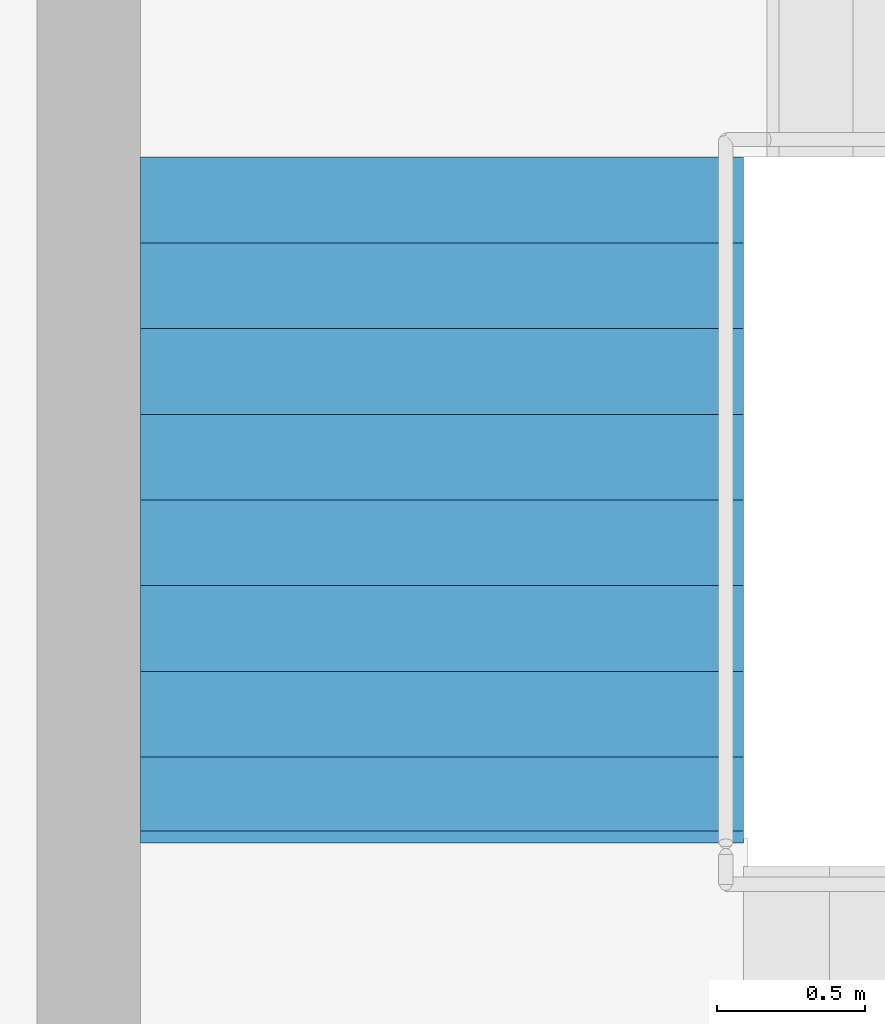
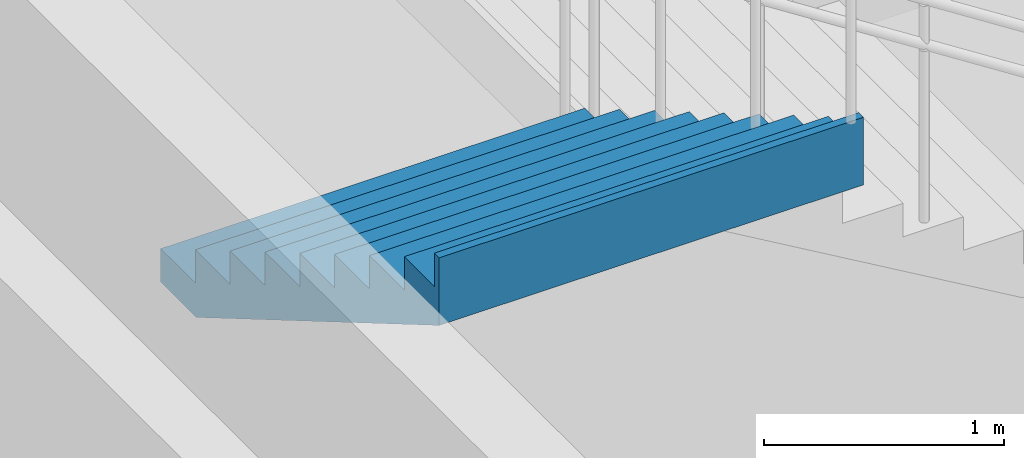
# One storey, part 50 of 58: 1 stair flight, 1 element without a shape of its own.
"""IFC4 building model written with IfcOpenShell, lengths in metres."""

from ifc_helpers import new_model, si_unit, direction, frame, origin, place, context, subcontext, project, spatial, triangles, material, type_object, element, aggregate, save


model = new_model("IFC4")

# Units and contexts
model_context = context("Model", 3, precision=1e-05, world=origin(), true_north=direction((0.0, 1.0)))
body_context = subcontext(model_context, "Body", "Model", "MODEL_VIEW")
ifc_project = project(units=[si_unit("LENGTHUNIT", "METRE"), si_unit("AREAUNIT", "SQUARE_METRE"), si_unit("VOLUMEUNIT", "CUBIC_METRE"), si_unit("PLANEANGLEUNIT", "RADIAN"), si_unit("MASSUNIT", "GRAM", prefix="KILO")], contexts=[model_context])

# Site, building, storey
site_placement = place(None, origin())
site = spatial("IfcSite", under=ifc_project, at=site_placement, CompositionType="ELEMENT")
building_placement = place(site_placement, origin())
building = spatial("IfcBuilding", under=site, at=building_placement, Name="Sillaruma Civic Art Gallery", CompositionType="ELEMENT")
storey_placement = place(building_placement, frame((0.0, 0.0, 22.43994140625)))
storey = spatial("IfcBuildingStorey", under=building, at=storey_placement, Name="L04", CompositionType="ELEMENT", Elevation=22.43994140625)

# Stair, stair flight
ifc_material = material(Name="Concrete H35 (35 MPa)", Category="concrete")
stair_type = type_object("IfcStairType", Name="STR-4F-36", PredefinedType="USERDEFINED", material=ifc_material)
stair_placement = place(storey_placement, origin())
stair = element("IfcStair", 1, at=stair_placement, inside=storey, type_object=stair_type, Name="Protected Exit Stair ST-02 (West Bar North) (L04)", ObjectType="THREE_RETURN_STAIR", PredefinedType="USERDEFINED")
stair_flight_type = type_object("IfcStairFlightType", Name="SFL-STR-9", PredefinedType="STRAIGHT", material=ifc_material)
stair_flight_placement = place(storey_placement, frame((63.780029296875, 85.35009765625, 4.590087890625), z_axis=(0.0, 0.0, 1.0), x_axis=(0.0, -1.0, 0.0)))
stair_flight = element("IfcStairFlight", 2, at=stair_flight_placement, type_object=stair_flight_type, Name="ST-02 flight 4", NumberOfRisers=9, NumberOfTreads=8, PredefinedType="STRAIGHT", RiserHeight=0.17, TreadLength=0.29, context=body_context, shape_type="Tessellation", body=[
    triangles([(0.0, -1.02001953125, 0.0), (0.29, -1.02001953125, 0.0), (0.296482, -1.02001953125, 0.0), (0.58, -1.02001953125, 0.1662), (0.87, -1.02001953125, 0.3362), (1.16, -1.02001953125, 0.5062), (1.45, -1.02001953125, 0.6762), (1.74, -1.02001953125, 0.8462), (2.03, -1.02001953125, 1.0162), (2.280068, -1.02001953125, 1.162792), (2.320068, -1.02001953125, 1.18624), (2.320068, -1.02001953125, 1.53), (2.280068, -1.02001953125, 1.53), (2.280068, -1.02001953125, 1.36), (2.03, -1.02001953125, 1.36), (2.03, -1.02001953125, 1.19), (1.74, -1.02001953125, 1.19), (1.74, -1.02001953125, 1.02), (1.45, -1.02001953125, 1.02), (1.45, -1.02001953125, 0.85), (1.16, -1.02001953125, 0.85), (1.16, -1.02001953125, 0.68), (0.87, -1.02001953125, 0.68), (0.87, -1.02001953125, 0.51), (0.58, -1.02001953125, 0.51), (0.58, -1.02001953125, 0.34), (0.296482, -1.02001953125, 0.34), (0.29, -1.02001953125, 0.34), (0.29, -1.02001953125, 0.17), (0.0, -1.02001953125, 0.17), (0.0, -0.05, 0.0), (0.29, -0.05, 0.0), (0.296482, -0.05, 0.0), (0.58, -0.05, 0.1662), (0.87, -0.05, 0.3362), (1.16, -0.05, 0.5062), (1.45, -0.05, 0.6762), (1.74, -0.05, 0.8462), (2.03, -0.05, 1.0162), (2.280068, -0.05, 1.162792), (2.320068, -0.05, 1.18624), (2.320068, -0.05, 1.53), (2.280068, -0.05, 1.53), (2.280068, -0.05, 1.36), (2.03, -0.05, 1.36), (2.03, -0.05, 1.19), (1.74, -0.05, 1.19), (1.74, -0.05, 1.02), (1.45, -0.05, 1.02), (1.45, -0.05, 0.85), (1.16, -0.05, 0.85), (1.16, -0.05, 0.68), (0.87, -0.05, 0.68), (0.87, -0.05, 0.51), (0.58, -0.05, 0.51), (0.58, -0.05, 0.34), (0.296482, -0.05, 0.34), (0.29, -0.05, 0.34), (0.29, -0.05, 0.17), (0.0, -0.05, 0.17), (0.0, -0.0375, 0.0), (0.29, -0.0375, 0.0), (0.296482, -0.0375, 0.0), (0.58, -0.0375, 0.1662), (0.87, -0.0375, 0.3362), (1.16, -0.0375, 0.5062), (1.45, -0.0375, 0.6762), (1.74, -0.0375, 0.8462), (2.03, -0.0375, 1.0162), (2.280068, -0.0375, 1.162792), (2.320068, -0.0375, 1.18624), (2.320068, -0.0375, 1.53), (2.280068, -0.0375, 1.53), (2.280068, -0.0375, 1.36), (2.03, -0.0375, 1.36), (2.03, -0.0375, 1.19), (1.74, -0.0375, 1.19), (1.74, -0.0375, 1.02), (1.45, -0.0375, 1.02), (1.45, -0.0375, 0.85), (1.16, -0.0375, 0.85), (1.16, -0.0375, 0.68), (0.87, -0.0375, 0.68), (0.87, -0.0375, 0.51), (0.58, -0.0375, 0.51), (0.58, -0.0375, 0.34), (0.296482, -0.0375, 0.34), (0.29, -0.0375, 0.34), (0.29, -0.0375, 0.17), (0.0, -0.0375, 0.17), (0.0, -0.025, 0.0), (0.29, -0.025, 0.0), (0.296482, -0.025, 0.0), (0.58, -0.025, 0.1662), (0.87, -0.025, 0.3362), (1.16, -0.025, 0.5062), (1.45, -0.025, 0.6762), (1.74, -0.025, 0.8462), (2.03, -0.025, 1.0162), (2.280068, -0.025, 1.162792), (2.320068, -0.025, 1.18624), (2.320068, -0.025, 1.53), (2.280068, -0.025, 1.53), (2.280068, -0.025, 1.36), (2.03, -0.025, 1.36), (2.03, -0.025, 1.19), (1.74, -0.025, 1.19), (1.74, -0.025, 1.02), (1.45, -0.025, 1.02), (1.45, -0.025, 0.85), (1.16, -0.025, 0.85), (1.16, -0.025, 0.68), (0.87, -0.025, 0.68), (0.87, -0.025, 0.51), (0.58, -0.025, 0.51), (0.58, -0.025, 0.34), (0.296482, -0.025, 0.34), (0.29, -0.025, 0.34), (0.29, -0.025, 0.17), (0.0, -0.025, 0.17), (0.0, -0.0125, 0.0), (0.29, -0.0125, 0.0), (0.296482, -0.0125, 0.0), (0.58, -0.0125, 0.1662), (0.87, -0.0125, 0.3362), (1.16, -0.0125, 0.5062), (1.45, -0.0125, 0.6762), (1.74, -0.0125, 0.8462), (2.03, -0.0125, 1.0162), (2.280068, -0.0125, 1.162792), (2.320068, -0.0125, 1.18624), (2.320068, -0.0125, 1.53), (2.280068, -0.0125, 1.53), (2.280068, -0.0125, 1.36), (2.03, -0.0125, 1.36), (2.03, -0.0125, 1.19), (1.74, -0.0125, 1.19), (1.74, -0.0125, 1.02), (1.45, -0.0125, 1.02), (1.45, -0.0125, 0.85), (1.16, -0.0125, 0.85), (1.16, -0.0125, 0.68), (0.87, -0.0125, 0.68), (0.87, -0.0125, 0.51), (0.58, -0.0125, 0.51), (0.58, -0.0125, 0.34), (0.296482, -0.0125, 0.34), (0.29, -0.0125, 0.34), (0.29, -0.0125, 0.17), (0.0, -0.0125, 0.17), (0.0, 0.0, 0.0), (0.29, 0.0, 0.0), (0.296482, 0.0, 0.0), (0.58, 0.0, 0.1662), (0.87, 0.0, 0.3362), (1.16, 0.0, 0.5062), (1.45, 0.0, 0.6762), (1.74, 0.0, 0.8462), (2.03, 0.0, 1.0162), (2.280068, 0.0, 1.162792), (2.320068, 0.0, 1.18624), (2.320068, 0.0, 1.53), (2.280068, 0.0, 1.53), (2.280068, 0.0, 1.36), (2.03, 0.0, 1.36), (2.03, 0.0, 1.19), (1.74, 0.0, 1.19), (1.74, 0.0, 1.02), (1.45, 0.0, 1.02), (1.45, 0.0, 0.85), (1.16, 0.0, 0.85), (1.16, 0.0, 0.68), (0.87, 0.0, 0.68), (0.87, 0.0, 0.51), (0.58, 0.0, 0.51), (0.58, 0.0, 0.34), (0.296482, 0.0, 0.34), (0.29, 0.0, 0.34), (0.29, 0.0, 0.17), (0.0, 0.0, 0.17), (0.0, 0.0125, 0.0), (0.29, 0.0125, 0.0), (0.296482, 0.0125, 0.0), (0.58, 0.0125, 0.1662), (0.87, 0.0125, 0.3362), (1.16, 0.0125, 0.5062), (1.45, 0.0125, 0.6762), (1.74, 0.0125, 0.8462), (2.03, 0.0125, 1.0162), (2.280068, 0.0125, 1.162792), (2.320068, 0.0125, 1.18624), (2.320068, 0.0125, 1.53), (2.280068, 0.0125, 1.53), (2.280068, 0.0125, 1.36), (2.03, 0.0125, 1.36), (2.03, 0.0125, 1.19), (1.74, 0.0125, 1.19), (1.74, 0.0125, 1.02), (1.45, 0.0125, 1.02), (1.45, 0.0125, 0.85), (1.16, 0.0125, 0.85), (1.16, 0.0125, 0.68), (0.87, 0.0125, 0.68), (0.87, 0.0125, 0.51), (0.58, 0.0125, 0.51), (0.58, 0.0125, 0.34), (0.296482, 0.0125, 0.34), (0.29, 0.0125, 0.34), (0.29, 0.0125, 0.17), (0.0, 0.0125, 0.17), (0.0, 0.025, 0.0), (0.29, 0.025, 0.0), (0.296482, 0.025, 0.0), (0.58, 0.025, 0.1662), (0.87, 0.025, 0.3362), (1.16, 0.025, 0.5062), (1.45, 0.025, 0.6762), (1.74, 0.025, 0.8462), (2.03, 0.025, 1.0162), (2.280068, 0.025, 1.162792), (2.320068, 0.025, 1.18624), (2.320068, 0.025, 1.53), (2.280068, 0.025, 1.53), (2.280068, 0.025, 1.36), (2.03, 0.025, 1.36), (2.03, 0.025, 1.19), (1.74, 0.025, 1.19), (1.74, 0.025, 1.02), (1.45, 0.025, 1.02), (1.45, 0.025, 0.85), (1.16, 0.025, 0.85), (1.16, 0.025, 0.68), (0.87, 0.025, 0.68), (0.87, 0.025, 0.51), (0.58, 0.025, 0.51), (0.58, 0.025, 0.34), (0.296482, 0.025, 0.34), (0.29, 0.025, 0.34), (0.29, 0.025, 0.17), (0.0, 0.025, 0.17), (0.0, 0.0375, 0.0), (0.29, 0.0375, 0.0), (0.296482, 0.0375, 0.0), (0.58, 0.0375, 0.1662), (0.87, 0.0375, 0.3362), (1.16, 0.0375, 0.5062), (1.45, 0.0375, 0.6762), (1.74, 0.0375, 0.8462), (2.03, 0.0375, 1.0162), (2.280068, 0.0375, 1.162792), (2.320068, 0.0375, 1.18624), (2.320068, 0.0375, 1.53), (2.280068, 0.0375, 1.53), (2.280068, 0.0375, 1.36), (2.03, 0.0375, 1.36), (2.03, 0.0375, 1.19), (1.74, 0.0375, 1.19), (1.74, 0.0375, 1.02), (1.45, 0.0375, 1.02), (1.45, 0.0375, 0.85), (1.16, 0.0375, 0.85), (1.16, 0.0375, 0.68), (0.87, 0.0375, 0.68), (0.87, 0.0375, 0.51), (0.58, 0.0375, 0.51), (0.58, 0.0375, 0.34), (0.296482, 0.0375, 0.34), (0.29, 0.0375, 0.34), (0.29, 0.0375, 0.17), (0.0, 0.0375, 0.17), (0.0, 0.05, 0.0), (0.29, 0.05, 0.0), (0.296482, 0.05, 0.0), (0.58, 0.05, 0.1662), (0.87, 0.05, 0.3362), (1.16, 0.05, 0.5062), (1.45, 0.05, 0.6762), (1.74, 0.05, 0.8462), (2.03, 0.05, 1.0162), (2.280068, 0.05, 1.162792), (2.320068, 0.05, 1.18624), (2.320068, 0.05, 1.53), (2.280068, 0.05, 1.53), (2.280068, 0.05, 1.36), (2.03, 0.05, 1.36), (2.03, 0.05, 1.19), (1.74, 0.05, 1.19), (1.74, 0.05, 1.02), (1.45, 0.05, 1.02), (1.45, 0.05, 0.85), (1.16, 0.05, 0.85), (1.16, 0.05, 0.68), (0.87, 0.05, 0.68), (0.87, 0.05, 0.51), (0.58, 0.05, 0.51), (0.58, 0.05, 0.34), (0.296482, 0.05, 0.34), (0.29, 0.05, 0.34), (0.29, 0.05, 0.17), (0.0, 0.05, 0.17), (0.0, 1.02001953125, 0.0), (0.29, 1.02001953125, 0.0), (0.296482, 1.02001953125, 0.0), (0.58, 1.02001953125, 0.1662), (0.87, 1.02001953125, 0.3362), (1.16, 1.02001953125, 0.5062), (1.45, 1.02001953125, 0.6762), (1.74, 1.02001953125, 0.8462), (2.03, 1.02001953125, 1.0162), (2.280068, 1.02001953125, 1.162792), (2.320068, 1.02001953125, 1.18624), (2.320068, 1.02001953125, 1.53), (2.280068, 1.02001953125, 1.53), (2.280068, 1.02001953125, 1.36), (2.03, 1.02001953125, 1.36), (2.03, 1.02001953125, 1.19), (1.74, 1.02001953125, 1.19), (1.74, 1.02001953125, 1.02), (1.45, 1.02001953125, 1.02), (1.45, 1.02001953125, 0.85), (1.16, 1.02001953125, 0.85), (1.16, 1.02001953125, 0.68), (0.87, 1.02001953125, 0.68), (0.87, 1.02001953125, 0.51), (0.58, 1.02001953125, 0.51), (0.58, 1.02001953125, 0.34), (0.296482, 1.02001953125, 0.34), (0.29, 1.02001953125, 0.34), (0.29, 1.02001953125, 0.17), (0.0, 1.02001953125, 0.17)], [[1, 2, 29], [1, 29, 30], [2, 3, 27], [2, 27, 29], [29, 27, 28], [3, 4, 26], [3, 26, 27], [4, 5, 24], [4, 24, 26], [26, 24, 25], [5, 6, 22], [5, 22, 24], [24, 22, 23], [6, 7, 20], [6, 20, 22], [22, 20, 21], [7, 8, 18], [7, 18, 20], [20, 18, 19], [8, 9, 16], [8, 16, 18], [18, 16, 17], [9, 10, 14], [9, 14, 16], [16, 14, 15], [10, 11, 12], [10, 12, 14], [14, 12, 13], [329, 302, 301], [330, 329, 301], [327, 303, 302], [329, 327, 302], [328, 327, 329], [326, 304, 303], [327, 326, 303], [324, 305, 304], [326, 324, 304], [325, 324, 326], [322, 306, 305], [324, 322, 305], [323, 322, 324], [320, 307, 306], [322, 320, 306], [321, 320, 322], [318, 308, 307], [320, 318, 307], [319, 318, 320], [316, 309, 308], [318, 316, 308], [317, 316, 318], [314, 310, 309], [316, 314, 309], [315, 314, 316], [312, 311, 310], [314, 312, 310], [313, 312, 314], [2, 1, 31], [2, 31, 32], [3, 2, 32], [3, 32, 33], [4, 3, 33], [4, 33, 34], [5, 4, 34], [5, 34, 35], [6, 5, 35], [6, 35, 36], [7, 6, 36], [7, 36, 37], [8, 7, 37], [8, 37, 38], [9, 8, 38], [9, 38, 39], [10, 9, 39], [10, 39, 40], [11, 10, 40], [11, 40, 41], [12, 11, 41], [12, 41, 42], [13, 12, 42], [13, 42, 43], [14, 13, 43], [14, 43, 44], [15, 14, 44], [15, 44, 45], [16, 15, 45], [16, 45, 46], [17, 16, 46], [17, 46, 47], [18, 17, 47], [18, 47, 48], [19, 18, 48], [19, 48, 49], [20, 19, 49], [20, 49, 50], [21, 20, 50], [21, 50, 51], [22, 21, 51], [22, 51, 52], [23, 22, 52], [23, 52, 53], [24, 23, 53], [24, 53, 54], [25, 24, 54], [25, 54, 55], [26, 25, 55], [26, 55, 56], [27, 26, 56], [27, 56, 57], [28, 27, 57], [28, 57, 58], [29, 28, 58], [29, 58, 59], [30, 29, 59], [30, 59, 60], [1, 30, 60], [1, 60, 31], [32, 31, 61], [32, 61, 62], [33, 32, 62], [33, 62, 63], [34, 33, 63], [34, 63, 64], [35, 34, 64], [35, 64, 65], [36, 35, 65], [36, 65, 66], [37, 36, 66], [37, 66, 67], [38, 37, 67], [38, 67, 68], [39, 38, 68], [39, 68, 69], [40, 39, 69], [40, 69, 70], [41, 40, 70], [41, 70, 71], [42, 41, 71], [42, 71, 72], [43, 42, 72], [43, 72, 73], [44, 43, 73], [44, 73, 74], [45, 44, 74], [45, 74, 75], [46, 45, 75], [46, 75, 76], [47, 46, 76], [47, 76, 77], [48, 47, 77], [48, 77, 78], [49, 48, 78], [49, 78, 79], [50, 49, 79], [50, 79, 80], [51, 50, 80], [51, 80, 81], [52, 51, 81], [52, 81, 82], [53, 52, 82], [53, 82, 83], [54, 53, 83], [54, 83, 84], [55, 54, 84], [55, 84, 85], [56, 55, 85], [56, 85, 86], [57, 56, 86], [57, 86, 87], [58, 57, 87], [58, 87, 88], [59, 58, 88], [59, 88, 89], [60, 59, 89], [60, 89, 90], [31, 60, 90], [31, 90, 61], [62, 61, 91], [62, 91, 92], [63, 62, 92], [63, 92, 93], [64, 63, 93], [64, 93, 94], [65, 64, 94], [65, 94, 95], [66, 65, 95], [66, 95, 96], [67, 66, 96], [67, 96, 97], [68, 67, 97], [68, 97, 98], [69, 68, 98], [69, 98, 99], [70, 69, 99], [70, 99, 100], [71, 70, 100], [71, 100, 101], [72, 71, 101], [72, 101, 102], [73, 72, 102], [73, 102, 103], [74, 73, 103], [74, 103, 104], [75, 74, 104], [75, 104, 105], [76, 75, 105], [76, 105, 106], [77, 76, 106], [77, 106, 107], [78, 77, 107], [78, 107, 108], [79, 78, 108], [79, 108, 109], [80, 79, 109], [80, 109, 110], [81, 80, 110], [81, 110, 111], [82, 81, 111], [82, 111, 112], [83, 82, 112], [83, 112, 113], [84, 83, 113], [84, 113, 114], [85, 84, 114], [85, 114, 115], [86, 85, 115], [86, 115, 116], [87, 86, 116], [87, 116, 117], [88, 87, 117], [88, 117, 118], [89, 88, 118], [89, 118, 119], [90, 89, 119], [90, 119, 120], [61, 90, 120], [61, 120, 91], [92, 91, 121], [92, 121, 122], [93, 92, 122], [93, 122, 123], [94, 93, 123], [94, 123, 124], [95, 94, 124], [95, 124, 125], [96, 95, 125], [96, 125, 126], [97, 96, 126], [97, 126, 127], [98, 97, 127], [98, 127, 128], [99, 98, 128], [99, 128, 129], [100, 99, 129], [100, 129, 130], [101, 100, 130], [101, 130, 131], [102, 101, 131], [102, 131, 132], [103, 102, 132], [103, 132, 133], [104, 103, 133], [104, 133, 134], [105, 104, 134], [105, 134, 135], [106, 105, 135], [106, 135, 136], [107, 106, 136], [107, 136, 137], [108, 107, 137], [108, 137, 138], [109, 108, 138], [109, 138, 139], [110, 109, 139], [110, 139, 140], [111, 110, 140], [111, 140, 141], [112, 111, 141], [112, 141, 142], [113, 112, 142], [113, 142, 143], [114, 113, 143], [114, 143, 144], [115, 114, 144], [115, 144, 145], [116, 115, 145], [116, 145, 146], [117, 116, 146], [117, 146, 147], [118, 117, 147], [118, 147, 148], [119, 118, 148], [119, 148, 149], [120, 119, 149], [120, 149, 150], [91, 120, 150], [91, 150, 121], [122, 121, 151], [122, 151, 152], [123, 122, 152], [123, 152, 153], [124, 123, 153], [124, 153, 154], [125, 124, 154], [125, 154, 155], [126, 125, 155], [126, 155, 156], [127, 126, 156], [127, 156, 157], [128, 127, 157], [128, 157, 158], [129, 128, 158], [129, 158, 159], [130, 129, 159], [130, 159, 160], [131, 130, 160], [131, 160, 161], [132, 131, 161], [132, 161, 162], [133, 132, 162], [133, 162, 163], [134, 133, 163], [134, 163, 164], [135, 134, 164], [135, 164, 165], [136, 135, 165], [136, 165, 166], [137, 136, 166], [137, 166, 167], [138, 137, 167], [138, 167, 168], [139, 138, 168], [139, 168, 169], [140, 139, 169], [140, 169, 170], [141, 140, 170], [141, 170, 171], [142, 141, 171], [142, 171, 172], [143, 142, 172], [143, 172, 173], [144, 143, 173], [144, 173, 174], [145, 144, 174], [145, 174, 175], [146, 145, 175], [146, 175, 176], [147, 146, 176], [147, 176, 177], [148, 147, 177], [148, 177, 178], [149, 148, 178], [149, 178, 179], [150, 149, 179], [150, 179, 180], [121, 150, 180], [121, 180, 151], [152, 151, 181], [152, 181, 182], [153, 152, 182], [153, 182, 183], [154, 153, 183], [154, 183, 184], [155, 154, 184], [155, 184, 185], [156, 155, 185], [156, 185, 186], [157, 156, 186], [157, 186, 187], [158, 157, 187], [158, 187, 188], [159, 158, 188], [159, 188, 189], [160, 159, 189], [160, 189, 190], [161, 160, 190], [161, 190, 191], [162, 161, 191], [162, 191, 192], [163, 162, 192], [163, 192, 193], [164, 163, 193], [164, 193, 194], [165, 164, 194], [165, 194, 195], [166, 165, 195], [166, 195, 196], [167, 166, 196], [167, 196, 197], [168, 167, 197], [168, 197, 198], [169, 168, 198], [169, 198, 199], [170, 169, 199], [170, 199, 200], [171, 170, 200], [171, 200, 201], [172, 171, 201], [172, 201, 202], [173, 172, 202], [173, 202, 203], [174, 173, 203], [174, 203, 204], [175, 174, 204], [175, 204, 205], [176, 175, 205], [176, 205, 206], [177, 176, 206], [177, 206, 207], [178, 177, 207], [178, 207, 208], [179, 178, 208], [179, 208, 209], [180, 179, 209], [180, 209, 210], [151, 180, 210], [151, 210, 181], [182, 181, 211], [182, 211, 212], [183, 182, 212], [183, 212, 213], [184, 183, 213], [184, 213, 214], [185, 184, 214], [185, 214, 215], [186, 185, 215], [186, 215, 216], [187, 186, 216], [187, 216, 217], [188, 187, 217], [188, 217, 218], [189, 188, 218], [189, 218, 219], [190, 189, 219], [190, 219, 220], [191, 190, 220], [191, 220, 221], [192, 191, 221], [192, 221, 222], [193, 192, 222], [193, 222, 223], [194, 193, 223], [194, 223, 224], [195, 194, 224], [195, 224, 225], [196, 195, 225], [196, 225, 226], [197, 196, 226], [197, 226, 227], [198, 197, 227], [198, 227, 228], [199, 198, 228], [199, 228, 229], [200, 199, 229], [200, 229, 230], [201, 200, 230], [201, 230, 231], [202, 201, 231], [202, 231, 232], [203, 202, 232], [203, 232, 233], [204, 203, 233], [204, 233, 234], [205, 204, 234], [205, 234, 235], [206, 205, 235], [206, 235, 236], [207, 206, 236], [207, 236, 237], [208, 207, 237], [208, 237, 238], [209, 208, 238], [209, 238, 239], [210, 209, 239], [210, 239, 240], [181, 210, 240], [181, 240, 211], [212, 211, 241], [212, 241, 242], [213, 212, 242], [213, 242, 243], [214, 213, 243], [214, 243, 244], [215, 214, 244], [215, 244, 245], [216, 215, 245], [216, 245, 246], [217, 216, 246], [217, 246, 247], [218, 217, 247], [218, 247, 248], [219, 218, 248], [219, 248, 249], [220, 219, 249], [220, 249, 250], [221, 220, 250], [221, 250, 251], [222, 221, 251], [222, 251, 252], [223, 222, 252], [223, 252, 253], [224, 223, 253], [224, 253, 254], [225, 224, 254], [225, 254, 255], [226, 225, 255], [226, 255, 256], [227, 226, 256], [227, 256, 257], [228, 227, 257], [228, 257, 258], [229, 228, 258], [229, 258, 259], [230, 229, 259], [230, 259, 260], [231, 230, 260], [231, 260, 261], [232, 231, 261], [232, 261, 262], [233, 232, 262], [233, 262, 263], [234, 233, 263], [234, 263, 264], [235, 234, 264], [235, 264, 265], [236, 235, 265], [236, 265, 266], [237, 236, 266], [237, 266, 267], [238, 237, 267], [238, 267, 268], [239, 238, 268], [239, 268, 269], [240, 239, 269], [240, 269, 270], [211, 240, 270], [211, 270, 241], [242, 241, 271], [242, 271, 272], [243, 242, 272], [243, 272, 273], [244, 243, 273], [244, 273, 274], [245, 244, 274], [245, 274, 275], [246, 245, 275], [246, 275, 276], [247, 246, 276], [247, 276, 277], [248, 247, 277], [248, 277, 278], [249, 248, 278], [249, 278, 279], [250, 249, 279], [250, 279, 280], [251, 250, 280], [251, 280, 281], [252, 251, 281], [252, 281, 282], [253, 252, 282], [253, 282, 283], [254, 253, 283], [254, 283, 284], [255, 254, 284], [255, 284, 285], [256, 255, 285], [256, 285, 286], [257, 256, 286], [257, 286, 287], [258, 257, 287], [258, 287, 288], [259, 258, 288], [259, 288, 289], [260, 259, 289], [260, 289, 290], [261, 260, 290], [261, 290, 291], [262, 261, 291], [262, 291, 292], [263, 262, 292], [263, 292, 293], [264, 263, 293], [264, 293, 294], [265, 264, 294], [265, 294, 295], [266, 265, 295], [266, 295, 296], [267, 266, 296], [267, 296, 297], [268, 267, 297], [268, 297, 298], [269, 268, 298], [269, 298, 299], [270, 269, 299], [270, 299, 300], [241, 270, 300], [241, 300, 271], [272, 271, 301], [272, 301, 302], [273, 272, 302], [273, 302, 303], [274, 273, 303], [274, 303, 304], [275, 274, 304], [275, 304, 305], [276, 275, 305], [276, 305, 306], [277, 276, 306], [277, 306, 307], [278, 277, 307], [278, 307, 308], [279, 278, 308], [279, 308, 309], [280, 279, 309], [280, 309, 310], [281, 280, 310], [281, 310, 311], [282, 281, 311], [282, 311, 312], [283, 282, 312], [283, 312, 313], [284, 283, 313], [284, 313, 314], [285, 284, 314], [285, 314, 315], [286, 285, 315], [286, 315, 316], [287, 286, 316], [287, 316, 317], [288, 287, 317], [288, 317, 318], [289, 288, 318], [289, 318, 319], [290, 289, 319], [290, 319, 320], [291, 290, 320], [291, 320, 321], [292, 291, 321], [292, 321, 322], [293, 292, 322], [293, 322, 323], [294, 293, 323], [294, 323, 324], [295, 294, 324], [295, 324, 325], [296, 295, 325], [296, 325, 326], [297, 296, 326], [297, 326, 327], [298, 297, 327], [298, 327, 328], [299, 298, 328], [299, 328, 329], [300, 299, 329], [300, 329, 330], [271, 300, 330], [271, 330, 301]], closed=True),
])
aggregate(stair, [stair_flight])

save(model, "model.ifc")
